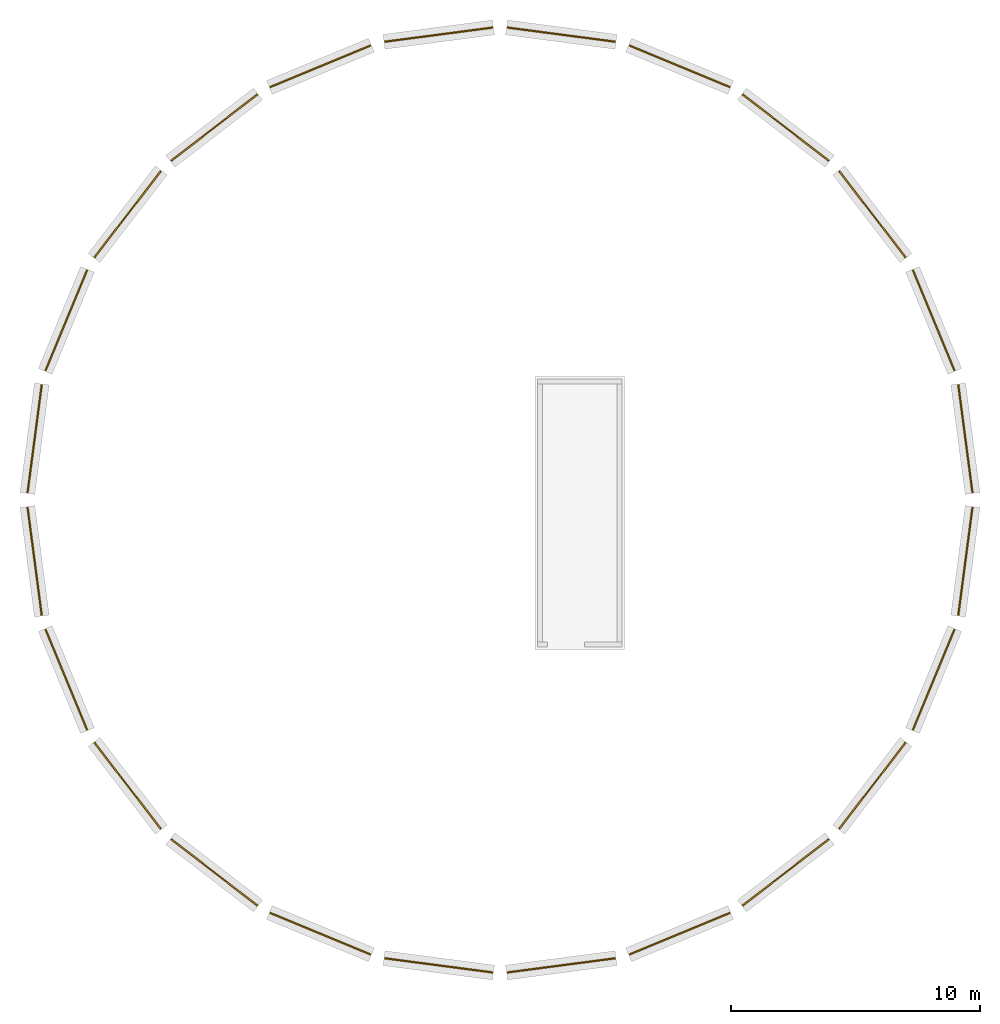
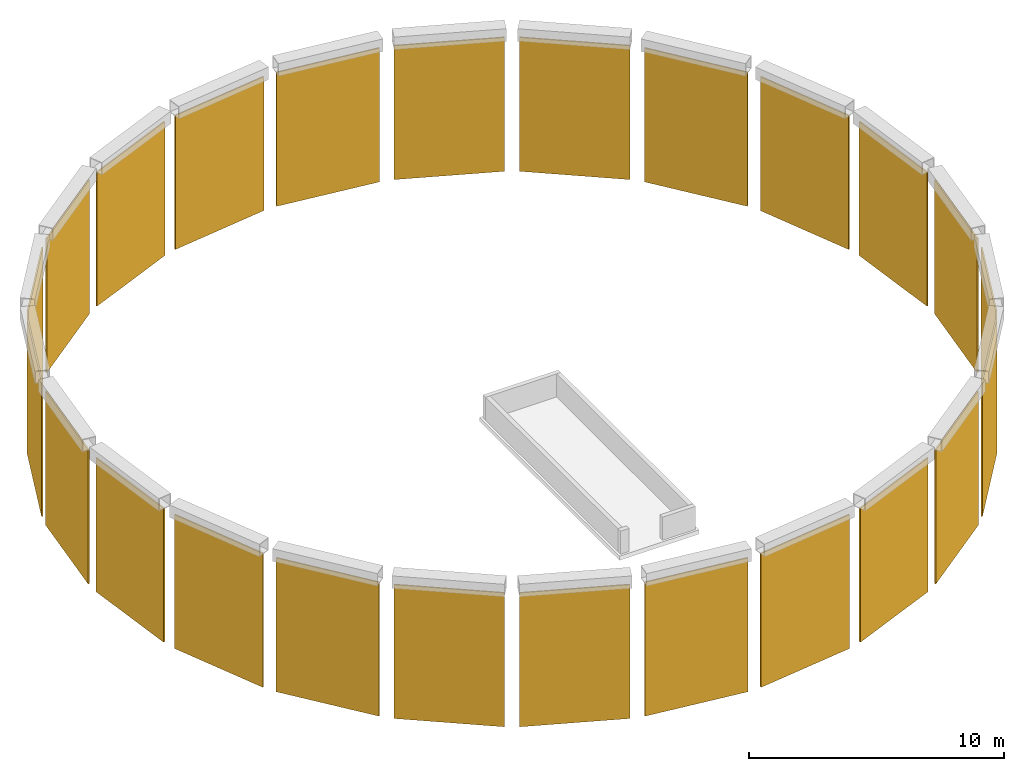
# One storey, part 2 of 2: 24 shading devices.
"""IFC4 building model written with IfcOpenShell, lengths in metres."""

import ifcopenshell
import ifcopenshell.guid

model = None  # the IFC model being written
_history = None  # IfcOwnerHistory: only IFC2X3 demands one
_inside = {}  # id of a spatial element -> (the spatial element, [elements in it])
_under = {}  # id of a project, library or spatial element -> (it, [spatial elements below it])
_declared = {}  # id of a project -> (the project, [libraries it declares])
_typed = {}  # id of a type object -> (the type object, [elements of that type])
_made_of = {}  # id of a material, layer set ... -> (it, [elements and type objects made of it])


def new_model(schema):
    """Start an empty IFC model of exactly this schema.

    Asked for "IFC4X3", IfcOpenShell would pick the latest addendum, in which some entities
    have other attributes; the version numbers below select the first issue.
    IFC2X3 requires an IfcOwnerHistory on every rooted entity: one is made here for all.
    """
    global model, _history
    if schema == "IFC4X3":
        model = ifcopenshell.file(schema_version=(4, 3, 0, 0))
    else:
        model = ifcopenshell.file(schema=schema)
    _inside.clear()
    _under.clear()
    _declared.clear()
    _typed.clear()
    _made_of.clear()
    _history = None
    if model.schema == "IFC2X3":
        org = make("IfcOrganization", Name="unknown")
        user = make(
            "IfcPersonAndOrganization",
            ThePerson=make("IfcPerson", FamilyName="unknown"),
            TheOrganization=org,
        )
        app = make(
            "IfcApplication",
            ApplicationDeveloper=org,
            Version="unknown",
            ApplicationFullName="unknown",
            ApplicationIdentifier="unknown",
        )
        _history = make(
            "IfcOwnerHistory",
            OwningUser=user,
            OwningApplication=app,
            ChangeAction="ADDED",
            CreationDate=0,
        )
    return model


def make(cls, **values):
    """One entity of the class cls with the attributes given. An attribute that is None is left unset."""
    return model.create_entity(
        cls, **{name: value for name, value in values.items() if value is not None}
    )


def rooted(cls, **values):
    """An entity with a GlobalId (a new one), such as an element, a storey or a relation."""
    return make(cls, GlobalId=ifcopenshell.guid.new(), OwnerHistory=_history, **values)


def si_unit(unit_type, name, prefix=None):
    """IfcSIUnit, for example si_unit("LENGTHUNIT", "METRE", prefix="MILLI")."""
    return make("IfcSIUnit", UnitType=unit_type, Prefix=prefix, Name=name)


def assignment(units):
    """IfcUnitAssignment: the units of a project."""
    return None if units is None else make("IfcUnitAssignment", Units=units)


def point(xyz):
    """IfcCartesianPoint."""
    return None if xyz is None else make("IfcCartesianPoint", Coordinates=xyz)


def direction(xyz):
    """IfcDirection."""
    return None if xyz is None else make("IfcDirection", DirectionRatios=xyz)


def frame(location, z_axis=None, x_axis=None):
    """IfcAxis2Placement3D, a coordinate frame: its origin and axes. An axis left out is left unset."""
    return make(
        "IfcAxis2Placement3D",
        Location=point(location),
        Axis=direction(z_axis),
        RefDirection=direction(x_axis),
    )


def frame_2d(location, x_axis=None):
    """IfcAxis2Placement2D, a coordinate frame in the plane: its origin and x axis."""
    return make(
        "IfcAxis2Placement2D", Location=point(location), RefDirection=direction(x_axis)
    )


def origin():
    """The frame at (0, 0, 0) with its axes left unset."""
    return frame((0.0, 0.0, 0.0))


def origin_2d():
    """The frame at (0, 0) in the plane with its x axis left unset."""
    return frame_2d((0.0, 0.0))


def place(relative_to, where):
    """IfcLocalPlacement: puts the frame where relative to a parent placement (None: the world)."""
    return make(
        "IfcLocalPlacement", PlacementRelTo=relative_to, RelativePlacement=where
    )


def context(
    kind, dimensions, precision=None, world=None, true_north=None, identifier=None
):
    """IfcGeometricRepresentationContext, for example the 3D "Model" context."""
    return make(
        "IfcGeometricRepresentationContext",
        ContextIdentifier=identifier,
        ContextType=kind,
        CoordinateSpaceDimension=dimensions,
        Precision=precision,
        WorldCoordinateSystem=world,
        TrueNorth=true_north,
    )


def subcontext(parent, identifier, kind, view, scale=None):
    """IfcGeometricRepresentationSubContext, for example "Body" below "Model"."""
    return make(
        "IfcGeometricRepresentationSubContext",
        ContextIdentifier=identifier,
        ContextType=kind,
        ParentContext=parent,
        TargetScale=scale,
        TargetView=view,
    )


def project(units=None, contexts=None):
    """IfcProject with its units and contexts."""
    return rooted(
        "IfcProject",
        Name="project",
        RepresentationContexts=contexts,
        UnitsInContext=assignment(units),
    )


def spatial(cls, under=None, at=None, **own):
    """A site, building, storey or space (cls), placed at a placement, below another one or the project."""
    s = rooted(cls, ObjectPlacement=at, **own)
    if under is not None:
        _under.setdefault(under.id(), (under, []))[1].append(s)
    return s


def profile(cls, at=None, kind="AREA", **sizes):
    """A parametric profile (cls). Its sizes go by their IFC names, for example OverallWidth=200.0."""
    return make(cls, ProfileType=kind, Position=at, **sizes)


def rectangle(**sizes):
    """IfcRectangleProfileDef."""
    return profile("IfcRectangleProfileDef", **sizes)


def extrude(swept, where, along, depth):
    """IfcExtrudedAreaSolid: the profile swept, set in the frame where, extruded along a direction by depth."""
    return make(
        "IfcExtrudedAreaSolid",
        SweptArea=swept,
        Position=where,
        ExtrudedDirection=direction(along),
        Depth=depth,
    )


def shape(context_of_items, identifier, shape_type, items):
    """IfcShapeRepresentation: the items that make up one representation, for example the "Body"."""
    return make(
        "IfcShapeRepresentation",
        ContextOfItems=context_of_items,
        RepresentationIdentifier=identifier,
        RepresentationType=shape_type,
        Items=items,
    )


def source(mapping_origin, context_of_items, identifier, shape_type, items):
    """IfcRepresentationMap: a shape defined once, which mapped items show again and again."""
    return make(
        "IfcRepresentationMap",
        MappingOrigin=mapping_origin,
        MappedRepresentation=shape(context_of_items, identifier, shape_type, items),
    )


def transform(
    local_origin,
    x_axis=None,
    y_axis=None,
    z_axis=None,
    scale=None,
    scale2=None,
    scale3=None,
    uniform=True,
):
    """IfcCartesianTransformationOperator3D, or its non-uniform kind. x_axis, y_axis, z_axis: its Axis1, 2, 3."""
    if uniform:
        return make(
            "IfcCartesianTransformationOperator3D",
            Axis1=direction(x_axis),
            Axis2=direction(y_axis),
            LocalOrigin=point(local_origin),
            Scale=scale,
            Axis3=direction(z_axis),
        )
    return make(
        "IfcCartesianTransformationOperator3DnonUniform",
        Axis1=direction(x_axis),
        Axis2=direction(y_axis),
        LocalOrigin=point(local_origin),
        Scale=scale,
        Axis3=direction(z_axis),
        Scale2=scale2,
        Scale3=scale3,
    )


def mapped(mapping_source, mapping_target):
    """IfcMappedItem: shows the shape of a source again, moved by a transform."""
    return make(
        "IfcMappedItem", MappingSource=mapping_source, MappingTarget=mapping_target
    )


def material(Name=None, Category=None):
    """IfcMaterial."""
    return make("IfcMaterial", Name=Name, Category=Category)


def layer(
    of_material, thickness, ventilated=None, Name=None, Category=None, Priority=None
):
    """IfcMaterialLayer: one layer of a wall or slab, of a material (None: an air gap)."""
    return make(
        "IfcMaterialLayer",
        Material=of_material,
        LayerThickness=thickness,
        IsVentilated=ventilated,
        Name=Name,
        Category=Category,
        Priority=Priority,
    )


def layer_set(layers, Name=None):
    """IfcMaterialLayerSet."""
    return make("IfcMaterialLayerSet", MaterialLayers=layers, LayerSetName=Name)


def made_of(thing, what):
    """Note that an element or type object is made of a material, layer set ...; save() writes the relation."""
    if what is not None:
        _made_of.setdefault(what.id(), (what, []))[1].append(thing)
    return thing


def type_object(cls, material=None, **own):
    """A type object (cls), such as IfcWallType, which elements share."""
    return made_of(rooted(cls, **own), material)


def element(
    cls,
    number,
    at=None,
    inside=None,
    cuts=None,
    type_object=None,
    material=None,
    context=None,
    identifier="Body",
    shape_type=None,
    held_by="IfcProductDefinitionShape",
    body=None,
    shapes=None,
    **own,
):
    """One element of the class cls, such as IfcWall. Its Tag is "e" and its number.

    at: its placement. inside: the storey or other place that contains it. cuts: it is an
    opening in that element (IfcRelVoidsElement). A single representation is given by context,
    identifier, shape_type and body (its items); several are given by shapes. held_by: the class
    of the entity that holds the representations. save() writes the other relations.
    """
    e = rooted(cls, Tag="e%d" % number, ObjectPlacement=at, **own)
    if body is not None:
        shapes = [shape(context, identifier, shape_type, body)]
    if shapes is not None:
        e.Representation = make(held_by, Representations=shapes)
    if inside is not None:
        _inside.setdefault(inside.id(), (inside, []))[1].append(e)
    if cuts is not None:
        rooted(
            "IfcRelVoidsElement", RelatingBuildingElement=cuts, RelatedOpeningElement=e
        )
    if type_object is not None:
        _typed.setdefault(type_object.id(), (type_object, []))[1].append(e)
    return made_of(e, material)


def aggregate(whole, parts):
    """IfcRelAggregates: a whole, such as a stair, and the parts it consists of."""
    return rooted("IfcRelAggregates", RelatingObject=whole, RelatedObjects=parts)


def save(model, path):
    """Write the relations noted so far, then the file.

    IfcRelAggregates (storeys below a building ...), IfcRelContainedInSpatialStructure (elements
    in a storey), IfcRelDefinesByType, IfcRelAssociatesMaterial and IfcRelDeclares: one each for
    every whole, place, type object, material and project.
    """
    for whole, parts in _under.values():
        aggregate(whole, parts)
    for where, things in _inside.values():
        rooted(
            "IfcRelContainedInSpatialStructure",
            RelatedElements=things,
            RelatingStructure=where,
        )
    for kind, things in _typed.values():
        rooted("IfcRelDefinesByType", RelatedObjects=things, RelatingType=kind)
    for what, things in _made_of.values():
        rooted("IfcRelAssociatesMaterial", RelatedObjects=things, RelatingMaterial=what)
    for by, libraries in _declared.values():
        rooted("IfcRelDeclares", RelatingContext=by, RelatedDefinitions=libraries)
    model.write(path)


model = new_model("IFC4")

# Units and contexts
model_context = context("Model", 3, precision=1e-05, world=origin(), true_north=direction((0.0, 1.0)))
body_context = subcontext(model_context, "Body", "Model", "MODEL_VIEW")
ifc_project = project(units=[si_unit("LENGTHUNIT", "METRE"), si_unit("AREAUNIT", "SQUARE_METRE"), si_unit("VOLUMEUNIT", "CUBIC_METRE"), si_unit("PLANEANGLEUNIT", "RADIAN"), si_unit("MASSUNIT", "GRAM", prefix="KILO")], contexts=[model_context])

# Site, building, storey
site_placement = place(None, origin())
site = spatial("IfcSite", under=ifc_project, at=site_placement, CompositionType="ELEMENT")
building_placement = place(site_placement, origin())
building = spatial("IfcBuilding", under=site, at=building_placement, Name="Triune Harvest Tower", CompositionType="ELEMENT")
storey_placement = place(building_placement, frame((0.0, 0.0, 304.699951171875)))
storey = spatial("IfcBuildingStorey", under=building, at=storey_placement, Name="ROOF LIFT HEAD", CompositionType="ELEMENT", Elevation=304.699951171875)

# Shading devices
ifc_material = material(Name="Aluminium bronze perforated", Category="aluminium")
ifc_layer = layer(ifc_material, 0.06005859375)
ifc_layer_set = layer_set([ifc_layer], Name="Aluminium bronze perforated")
shading_device_type = type_object("IfcShadingDeviceType", Name="SCR-1 crown screen panel 60", PredefinedType="USERDEFINED", material=ifc_layer_set)
shared_shape = source(origin(), body_context, "Body", "SweptSolid", [
    extrude(rectangle(XDim=4.360107421875, YDim=0.06005859375, at=origin_2d()), origin(), (0.0, 0.0, 1.0), 6.39990234375),
])
for number, where, z_axis, x_axis, name in (
    (1, (18.67626953125, 2.458740234375, 2.0), (0.0, 0.0, 1.0), (-0.130522731424, 0.99144531699, 0.0), "Crown SCREEN panel 1.2"),
    (2, (17.403564453125, 7.208740234375, 2.0), (0.0, 0.0, 1.0), (-0.382685044838, 0.923878864601, 0.0), "Crown SCREEN panel 2.2"),
    (3, (14.944580078125, 11.467529296875, 2.0), (0.0, 0.0, 1.0), (-0.608769736952, 0.793346965313, 0.0), "Crown SCREEN panel 3.2"),
    (4, (11.467529296875, 14.944580078125, 2.0), (0.0, 0.0, 1.0), (-0.793346965313, 0.608769736952, 0.0), "Crown SCREEN panel 4.2"),
    (5, (7.208740234375, 17.403564453125, 2.0), (0.0, 0.0, 1.0), (-0.923878864601, 0.382685044838, 0.0), "Crown SCREEN panel 5.2"),
    (6, (2.458740234375, 18.67626953125, 2.0), (0.0, 0.0, 1.0), (-0.99144531699, 0.130522731424, 0.0), "Crown SCREEN panel 6.2"),
    (7, (-2.458740234375, 18.67626953125, 2.0), (0.0, 0.0, 1.0), (-0.99144531699, -0.130522731424, 0.0), "Crown SCREEN panel 7.2"),
    (8, (-7.208740234375, 17.403564453125, 2.0), (0.0, 0.0, 1.0), (-0.923878864601, -0.382685044838, 0.0), "Crown SCREEN panel 8.2"),
    (9, (-11.467529296875, 14.944580078125, 2.0), (0.0, 0.0, 1.0), (-0.793346965313, -0.608769736952, 0.0), "Crown SCREEN panel 9.2"),
    (10, (-14.944580078125, 11.467529296875, 2.0), (0.0, 0.0, 1.0), (-0.608769736952, -0.793346965313, 0.0), "Crown SCREEN panel 10.2"),
    (11, (-17.403564453125, 7.208740234375, 2.0), (0.0, 0.0, 1.0), (-0.382685044838, -0.923878864601, 0.0), "Crown SCREEN panel 11.2"),
    (12, (-18.67626953125, 2.458740234375, 2.0), (0.0, 0.0, 1.0), (-0.130522731424, -0.99144531699, 0.0), "Crown SCREEN panel 12.2"),
    (13, (-18.67626953125, -2.458740234375, 2.0), (0.0, 0.0, 1.0), (0.130522731424, -0.99144531699, 0.0), "Crown SCREEN panel 13.2"),
    (14, (-17.403564453125, -7.208740234375, 2.0), (0.0, 0.0, 1.0), (0.382685044838, -0.923878864601, 0.0), "Crown SCREEN panel 14.2"),
    (15, (-14.944580078125, -11.467529296875, 2.0), (0.0, 0.0, 1.0), (0.608769736952, -0.793346965313, 0.0), "Crown SCREEN panel 15.2"),
    (16, (-11.467529296875, -14.944580078125, 2.0), (0.0, 0.0, 1.0), (0.793346965313, -0.608769736952, 0.0), "Crown SCREEN panel 16.2"),
    (17, (-7.208740234375, -17.403564453125, 2.0), (0.0, 0.0, 1.0), (0.923878864601, -0.382685044838, 0.0), "Crown SCREEN panel 17.2"),
    (18, (-2.458740234375, -18.67626953125, 2.0), (0.0, 0.0, 1.0), (0.99144531699, -0.130522731424, 0.0), "Crown SCREEN panel 18.2"),
    (19, (2.458740234375, -18.67626953125, 2.0), (0.0, 0.0, 1.0), (0.99144531699, 0.130522731424, 0.0), "Crown SCREEN panel 19.2"),
    (20, (7.208740234375, -17.403564453125, 2.0), (0.0, 0.0, 1.0), (0.923878864601, 0.382685044838, 0.0), "Crown SCREEN panel 20.2"),
    (21, (11.467529296875, -14.944580078125, 2.0), (0.0, 0.0, 1.0), (0.793346965313, 0.608769736952, 0.0), "Crown SCREEN panel 21.2"),
    (22, (14.944580078125, -11.467529296875, 2.0), (0.0, 0.0, 1.0), (0.608769736952, 0.793346965313, 0.0), "Crown SCREEN panel 22.2"),
    (23, (17.403564453125, -7.208740234375, 2.0), (0.0, 0.0, 1.0), (0.382685044838, 0.923878864601, 0.0), "Crown SCREEN panel 23.2"),
    (24, (18.67626953125, -2.458740234375, 2.0), (0.0, 0.0, 1.0), (0.130522731424, 0.99144531699, 0.0), "Crown SCREEN panel 24.2"),
):
    element("IfcShadingDevice", number, at=place(storey_placement, frame(where, z_axis=z_axis, x_axis=x_axis)), inside=storey, type_object=shading_device_type, Name=name, ObjectType="SCREEN", PredefinedType="USERDEFINED", context=body_context, shape_type="MappedRepresentation", body=[
        mapped(shared_shape, transform((0.0, 0.0, 0.0), scale=1.0)),
    ])

save(model, "model.ifc")
